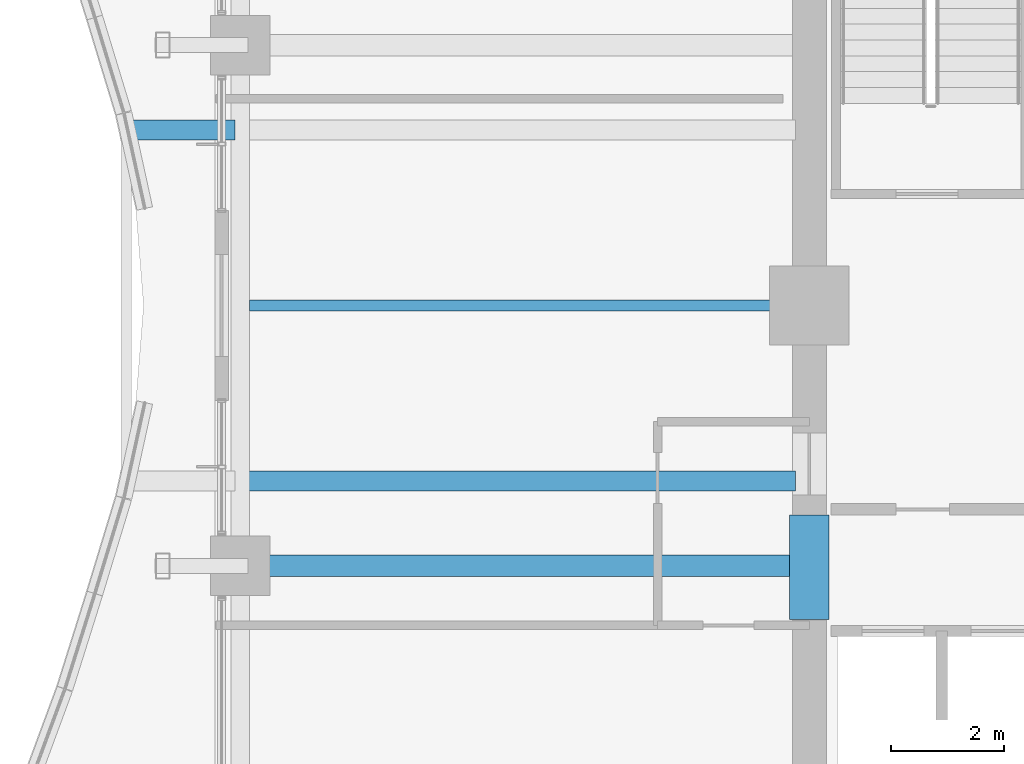
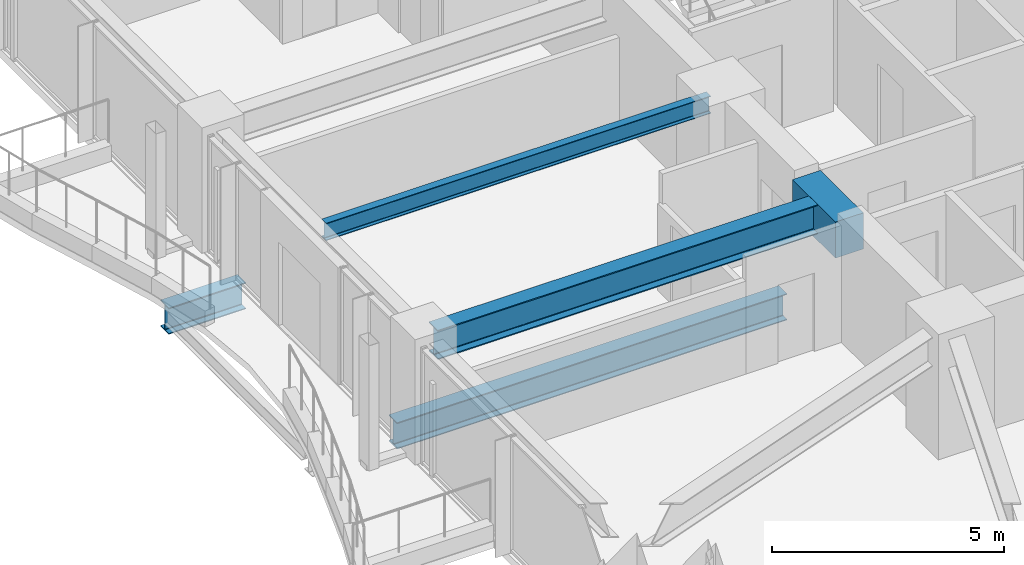
# One storey, part 8 of 37: 5 beams.
"""IFC4 building model written with IfcOpenShell, lengths in metres."""

from ifc_helpers import new_model, si_unit, direction, frame, origin, origin_2d, place, context, subcontext, project, spatial, rectangle, i_section, extrude, material, material_profile, profile_set, type_object, element, save


model = new_model("IFC4")

# Units and contexts
model_context = context("Model", 3, precision=1e-05, world=origin(), true_north=direction((0.0, 1.0)))
body_context = subcontext(model_context, "Body", "Model", "MODEL_VIEW")
ifc_project = project(units=[si_unit("LENGTHUNIT", "METRE"), si_unit("AREAUNIT", "SQUARE_METRE"), si_unit("VOLUMEUNIT", "CUBIC_METRE"), si_unit("PLANEANGLEUNIT", "RADIAN"), si_unit("MASSUNIT", "GRAM", prefix="KILO")], contexts=[model_context])

# Site, building, storey
site_placement = place(None, origin())
site = spatial("IfcSite", under=ifc_project, at=site_placement, CompositionType="ELEMENT")
building_placement = place(site_placement, origin())
building = spatial("IfcBuilding", under=site, at=building_placement, Name="Kolvaren Belvedere", CompositionType="ELEMENT")
storey_placement = place(building_placement, frame((0.0, 0.0, 82.10009765625)))
storey = spatial("IfcBuildingStorey", under=building, at=storey_placement, Name="L23", CompositionType="ELEMENT", Elevation=82.10009765625)

# Beams
ifc_material_1 = material(Name="Structural steel ASTM A992 Grade 50", Category="steel")
ifc_material_profile_1 = material_profile(ifc_material_1, i_section(OverallWidth=0.35498046875, OverallDepth=0.696044921875, WebThickness=0.015380859375, FlangeThickness=0.02490234375, FilletRadius=0.02197265625, at=origin_2d()), Name="W27X146")
ifc_profile_set_1 = profile_set([ifc_material_profile_1], Name="Structural steel ASTM A992 Grade 50")
beam_type_1 = type_object("IfcBeamType", Name="BM-CANT-BAL", PredefinedType="BEAM", material=ifc_profile_set_1)
beam_1_placement = place(storey_placement, frame((-20.044921875, 3.10009765625, -0.568115234375), z_axis=(-1.0, 0.0, 0.0), x_axis=(0.0, -1.0, 0.0)))
element("IfcBeam", 1, at=beam_1_placement, inside=storey, type_object=beam_type_1, Name="L23 Planted Balcony Cantilever BAL-W-2", PredefinedType="BEAM", context=body_context, shape_type="SweptSolid", body=[
    extrude(i_section(OverallWidth=0.35498046875, OverallDepth=0.696044921875, WebThickness=0.015380859375, FlangeThickness=0.02490234375, FilletRadius=0.02197265625, at=origin_2d()), origin(), (0.0, 0.0, 1.0), 1.91943359375),
])
ifc_material_2 = material(Name="Structural steel ASTM A992 Grade 50", Category="steel")
ifc_material_profile_2 = material_profile(ifc_material_2, i_section(OverallWidth=0.35498046875, OverallDepth=0.696044921875, WebThickness=0.015380859375, FlangeThickness=0.02490234375, FilletRadius=0.02197265625, at=origin_2d()), Name="W27X146")
ifc_profile_set_2 = profile_set([ifc_material_profile_2], Name="Structural steel ASTM A992 Grade 50")
beam_type_2 = type_object("IfcBeamType", Name="BM-GIRD-W27X146", PredefinedType="BEAM", material=ifc_profile_set_2)
beam_2_placement = place(storey_placement, frame((-10.139892578125, -3.10009765625, -0.568115234375), z_axis=(-1.0, 0.0, 0.0), x_axis=(0.0, -1.0, 0.0)))
element("IfcBeam", 2, at=beam_2_placement, inside=storey, type_object=beam_type_2, Name="L23 Balcony Interior Back-Span Girder BAL-W-1", PredefinedType="BEAM", context=body_context, shape_type="SweptSolid", body=[
    extrude(i_section(OverallWidth=0.35498046875, OverallDepth=0.696044921875, WebThickness=0.015380859375, FlangeThickness=0.02490234375, FilletRadius=0.02197265625, at=origin_2d()), origin(), (0.0, 0.0, 1.0), 9.715087890625),
])
ifc_material_3 = material(Name="Structural steel ASTM A992 Grade 50", Category="steel")
ifc_material_profile_3 = material_profile(ifc_material_3, i_section(OverallWidth=0.381103515625, OverallDepth=0.77294921875, WebThickness=0.0166015625, FlangeThickness=0.027099609375, FilletRadius=0.02392578125, at=origin_2d()), Name="W30X173")
ifc_profile_set_3 = profile_set([ifc_material_profile_3], Name="Structural steel ASTM A992 Grade 50")
beam_type_3 = type_object("IfcBeamType", Name="BM-GIRD-W30X173", PredefinedType="BEAM", material=ifc_profile_set_3)
beam_3_placement = place(storey_placement, frame((-10.199951171875, -4.60009765625, 2.693359375), z_axis=(-1.0, 0.0, 0.0), x_axis=(0.0, -1.0, 0.0)))
element("IfcBeam", 3, at=beam_3_placement, inside=storey, type_object=beam_type_3, Name="L23 West Radial Girder M", PredefinedType="BEAM", context=body_context, shape_type="SweptSolid", body=[
    extrude(i_section(OverallWidth=0.381103515625, OverallDepth=0.77294921875, WebThickness=0.0166015625, FlangeThickness=0.027099609375, FilletRadius=0.02392578125, at=origin_2d()), origin(), (0.0, 0.0, 1.0), 9.513916015625),
])
ifc_material_4 = material(Name="Structural steel ASTM A992 Grade 50", Category="steel")
ifc_material_profile_4 = material_profile(ifc_material_4, i_section(OverallWidth=0.19091796875, OverallDepth=0.4599609375, WebThickness=0.010009765625, FlangeThickness=0.01611328125, FilletRadius=0.014892578125, at=origin_2d()), Name="W18X55")
ifc_profile_set_4 = profile_set([ifc_material_profile_4], Name="Structural steel ASTM A992 Grade 50")
beam_type_4 = type_object("IfcBeamType", Name="BM-JOIST-W18X55", PredefinedType="BEAM", material=ifc_profile_set_4)
beam_4_placement = place(storey_placement, frame((-10.199951171875, 0.0, 2.849853515625), z_axis=(-1.0, 0.0, 0.0), x_axis=(0.0, -1.0, 0.0)))
element("IfcBeam", 4, at=beam_4_placement, inside=storey, type_object=beam_type_4, Name="L23 West Centre Floor Beam", PredefinedType="BEAM", context=body_context, shape_type="SweptSolid", body=[
    extrude(i_section(OverallWidth=0.19091796875, OverallDepth=0.4599609375, WebThickness=0.010009765625, FlangeThickness=0.01611328125, FilletRadius=0.014892578125, at=origin_2d()), origin(), (0.0, 0.0, 1.0), 9.587646484375),
])
ifc_material_5 = material(Name="Concrete C60/75", Category="concrete")
ifc_material_profile_5 = material_profile(ifc_material_5, rectangle(XDim=0.699951171875, YDim=0.949951171875, at=origin_2d()), Name="RC 700X950")
ifc_profile_set_5 = profile_set([ifc_material_profile_5], Name="Concrete C60/75")
beam_type_5 = type_object("IfcBeamType", Name="BM-LINT-950", PredefinedType="LINTEL", material=ifc_profile_set_5)
beam_5_placement = place(storey_placement, frame((-9.89990234375, -5.550048828125, 2.60498046875), z_axis=(0.0, 1.0, 0.0), x_axis=(-1.0, 0.0, 0.0)))
element("IfcBeam", 5, at=beam_5_placement, inside=storey, type_object=beam_type_5, Name="L23 West Core Coupling Lintel", PredefinedType="LINTEL", context=body_context, shape_type="SweptSolid", body=[
    extrude(rectangle(XDim=0.699951171875, YDim=0.949951171875, at=origin_2d()), origin(), (0.0, 0.0, 1.0), 1.85009765625),
])

save(model, "model.ifc")
